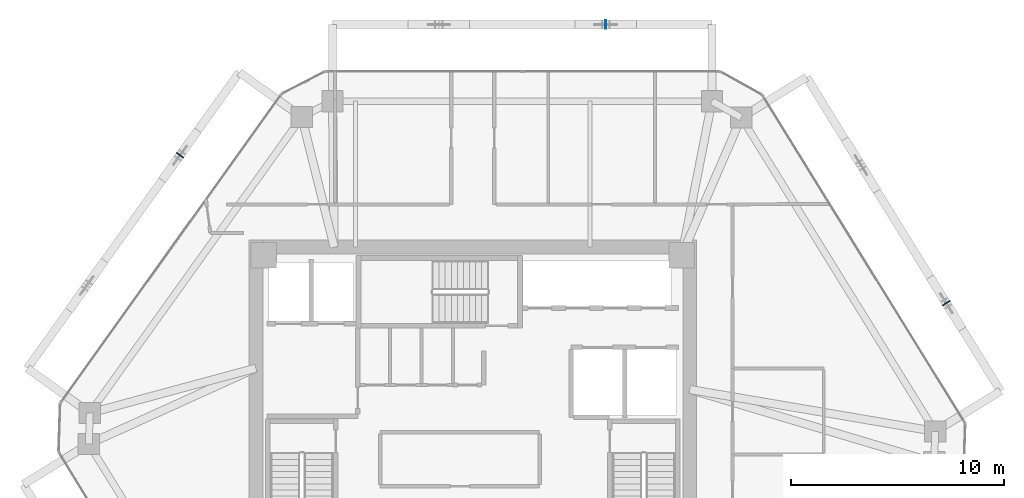
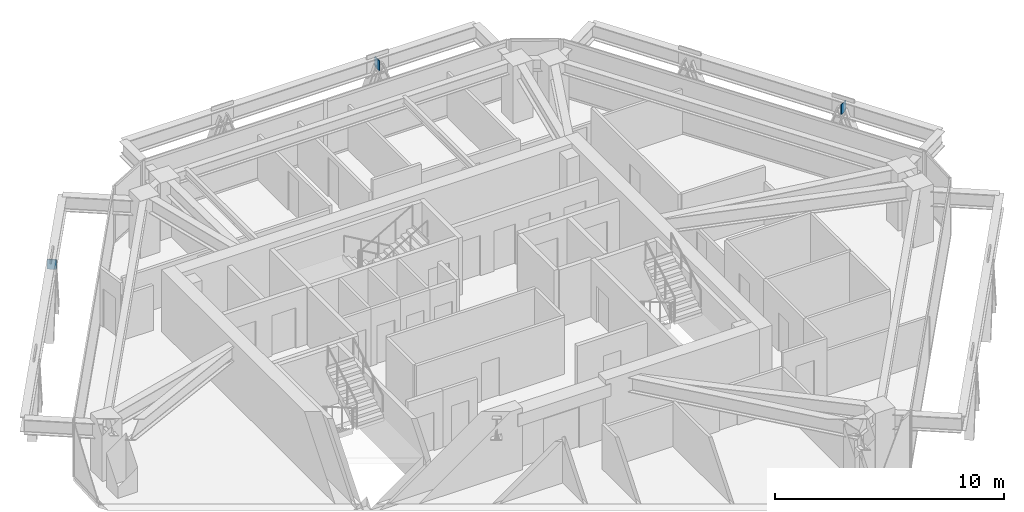
# One storey, part 9 of 14: 3 plates.
"""IFC4 building model written with IfcOpenShell, lengths in metres."""

from ifc_helpers import new_model, si_unit, direction, frame, origin, origin_2d, place, context, subcontext, project, spatial, rectangle, extrude, source, transform, mapped, material, layer, layer_set, type_object, type_shapes, element, save


model = new_model("IFC4")

# Units and contexts
model_context = context("Model", 3, precision=1e-05, world=origin(), true_north=direction((0.0, 1.0)))
body_context = subcontext(model_context, "Body", "Model", "MODEL_VIEW")
ifc_project = project(units=[si_unit("LENGTHUNIT", "METRE"), si_unit("AREAUNIT", "SQUARE_METRE"), si_unit("VOLUMEUNIT", "CUBIC_METRE"), si_unit("PLANEANGLEUNIT", "RADIAN"), si_unit("MASSUNIT", "GRAM", prefix="KILO")], contexts=[model_context])

# Site, building, storey
site_placement = place(None, origin())
site = spatial("IfcSite", under=ifc_project, at=site_placement, CompositionType="ELEMENT")
building_placement = place(site_placement, origin())
building = spatial("IfcBuilding", under=site, at=building_placement, Name="Durnholm Broadcast Tower", CompositionType="ELEMENT")
storey_placement = place(building_placement, frame((0.0, 0.0, 180.39990234375)))
storey = spatial("IfcBuildingStorey", under=building, at=storey_placement, Name="L49", CompositionType="ELEMENT", Elevation=180.39990234375)

# Plates
ifc_material = material(Name="Steel ASTM A572 Grade 50", Category="steel")
ifc_layer = layer(ifc_material, 0.044921875)
ifc_layer_set = layer_set([ifc_layer], Name="Steel ASTM A572 Grade 50")
plate_type = type_object("IfcPlateType", Name="PLT-KN-STIF", PredefinedType="SHEET", material=ifc_layer_set)
shared_shape = source(origin(), body_context, "Body", "SweptSolid", [
    extrude(rectangle(XDim=0.044921875, YDim=0.419921875, at=origin_2d()), origin(), (0.0, 0.0, 1.0), 0.52001953125),
])
type_shapes(plate_type, [shared_shape])
for number, where, z_axis, x_axis, name in (
    (1, (22.202392578125, 5.546875, 2.048583984375), (0.0, 0.0, 1.0), (-0.525768608156, 0.850627633385, 0.0), "L49 welded diagrid node stiffener plate F3"),
    (2, (6.234619140625, 18.617919921875, 2.048583984375), (0.0, 0.0, 1.0), (-1.0, 0.0, 0.0), "L49 welded diagrid node stiffener plate F4"),
    (3, (-13.731689453125, 12.485595703125, 2.048583984375), (0.0, 0.0, 1.0), (-0.582122970157, -0.813100761047, 0.0), "L49 welded diagrid node stiffener plate F5"),
):
    element("IfcPlate", number, at=place(storey_placement, frame(where, z_axis=z_axis, x_axis=x_axis)), inside=storey, type_object=plate_type, Name=name, PredefinedType="SHEET", context=body_context, shape_type="MappedRepresentation", body=[
        mapped(shared_shape, transform((0.0, 0.0, 0.0), x_axis=(1.0, 0.0, 0.0), y_axis=(0.0, 1.0, 0.0), z_axis=(0.0, 0.0, 1.0), scale=1.0)),
    ])

save(model, "model.ifc")
